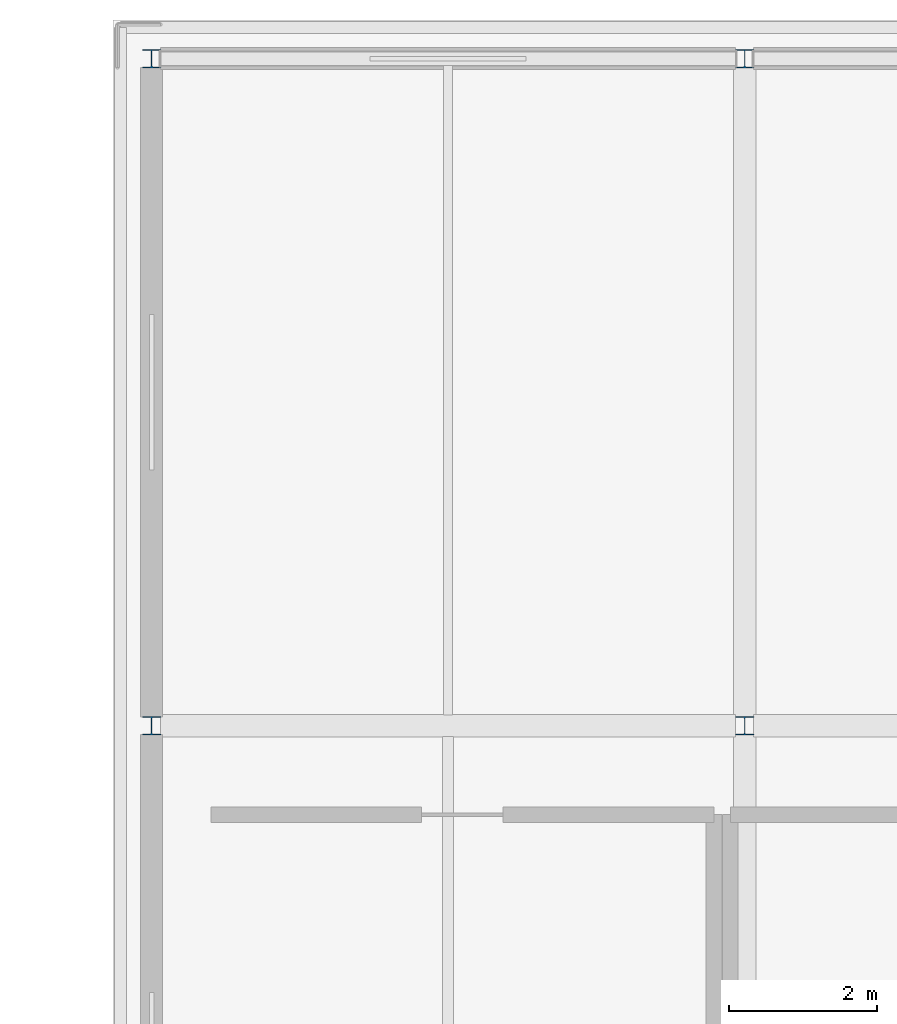
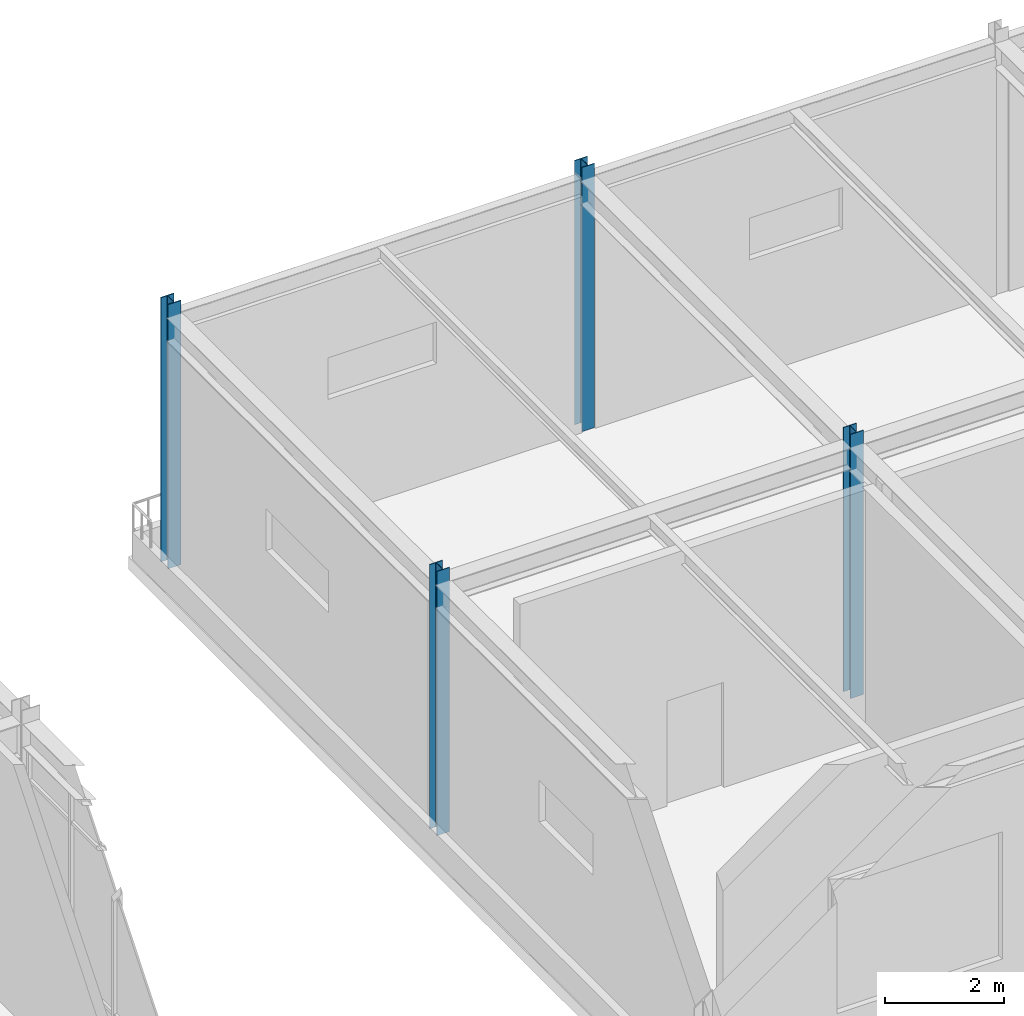
# One storey, part 15 of 184: 4 columns.
"""IFC4 building model written with IfcOpenShell, lengths in metres."""

from ifc_helpers import new_model, si_unit, direction, frame, origin, origin_2d, place, context, subcontext, project, spatial, i_section, extrude, material, material_profile, profile_set, type_object, element, save


model = new_model("IFC4")

# Units and contexts
model_context = context("Model", 3, precision=1e-05, world=origin(), true_north=direction((0.0, 1.0)))
body_context = subcontext(model_context, "Body", "Model", "MODEL_VIEW")
ifc_project = project(units=[si_unit("LENGTHUNIT", "METRE"), si_unit("AREAUNIT", "SQUARE_METRE"), si_unit("VOLUMEUNIT", "CUBIC_METRE"), si_unit("PLANEANGLEUNIT", "RADIAN"), si_unit("MASSUNIT", "GRAM", prefix="KILO")], contexts=[model_context])

# Site, building, storey
site_placement = place(None, origin())
site = spatial("IfcSite", under=ifc_project, at=site_placement, CompositionType="ELEMENT")
building_placement = place(site_placement, origin())
building = spatial("IfcBuilding", under=site, at=building_placement, Name="Zhaolan Boulevard Law Courts", CompositionType="ELEMENT")
storey_placement = place(building_placement, frame((0.0, 0.0, 5.39990234375)))
storey = spatial("IfcBuildingStorey", under=building, at=storey_placement, Name="L01", CompositionType="ELEMENT", Elevation=5.39990234375)

# Columns
ifc_material = material(Name="Structural steel Q355B", Category="steel")
ifc_material_profile = material_profile(ifc_material, i_section(OverallWidth=0.25, OverallDepth=0.25, WebThickness=0.009033203125, FlangeThickness=0.013916015625, FilletRadius=0.01611328125, at=origin_2d()), Name="HW250x250")
ifc_profile_set = profile_set([ifc_material_profile], Name="Structural steel Q355B")
column_type = type_object("IfcColumnType", Name="COL HW250", PredefinedType="COLUMN", material=ifc_profile_set)
for number, where, z_axis, x_axis, name in (
    (1, (52.0, 103.0, 0.0), (0.0, 0.0, 1.0), (1.0, 0.0, 0.0), "Column C-7P (L01)"),
    (2, (52.0, 112.0, 0.0), (0.0, 0.0, 1.0), (1.0, 0.0, 0.0), "Column C-7Q (L01)"),
    (3, (60.0, 103.0, 0.0), (0.0, 0.0, 1.0), (1.0, 0.0, 0.0), "Column C-8P (L01)"),
    (4, (60.0, 112.0, 0.0), (0.0, 0.0, 1.0), (1.0, 0.0, 0.0), "Column C-8Q (L01)"),
):
    element("IfcColumn", number, at=place(storey_placement, frame(where, z_axis=z_axis, x_axis=x_axis)), inside=storey, type_object=column_type, Name=name, PredefinedType="COLUMN", context=body_context, shape_type="SweptSolid", body=[
        extrude(i_section(OverallWidth=0.25, OverallDepth=0.25, WebThickness=0.009033203125, FlangeThickness=0.013916015625, FilletRadius=0.01611328125, at=origin_2d()), origin(), (0.0, 0.0, 1.0), 5.400146484375),
    ])

save(model, "model.ifc")
